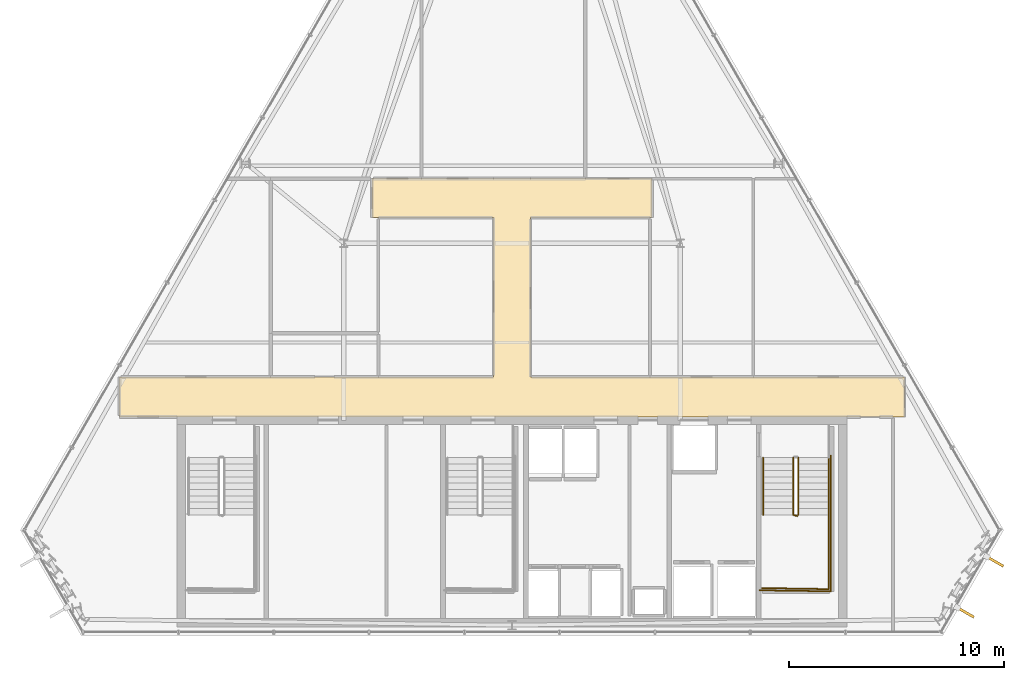
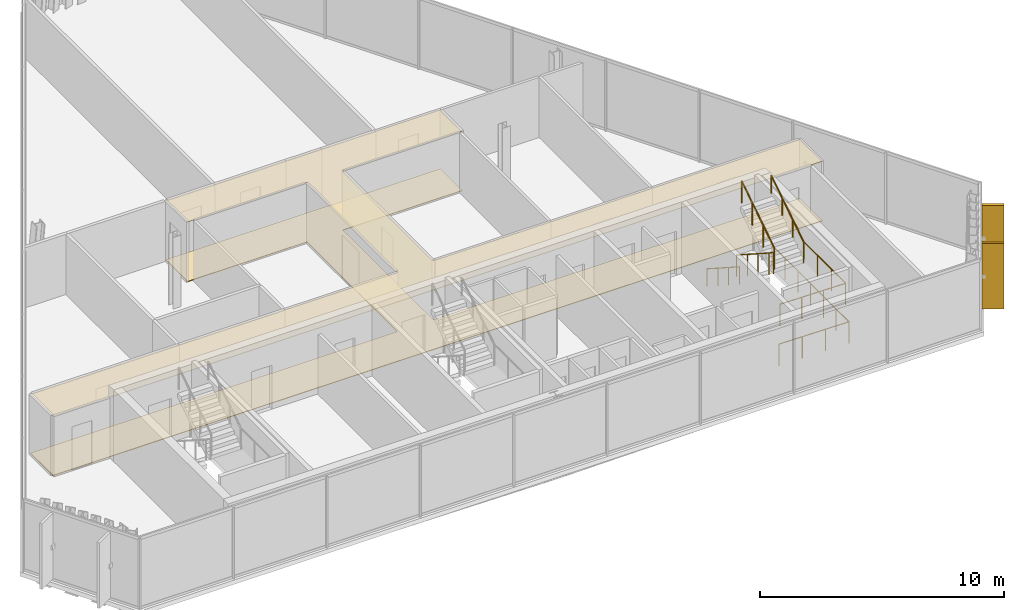
# One storey, part 33 of 34: 6 railings, 2 coverings, 2 shading devices.
"""IFC4 building model written with IfcOpenShell, lengths in metres."""

from ifc_helpers import new_model, si_unit, direction, frame, origin, origin_2d, place, context, subcontext, project, spatial, polyline, rectangle, circle, outline, extrude, material, layer, layer_set, type_object, element, save


model = new_model("IFC4")

# Units and contexts
model_context = context("Model", 3, precision=1e-05, world=origin(), true_north=direction((0.0, 1.0)))
body_context = subcontext(model_context, "Body", "Model", "MODEL_VIEW")
ifc_project = project(units=[si_unit("LENGTHUNIT", "METRE"), si_unit("AREAUNIT", "SQUARE_METRE"), si_unit("VOLUMEUNIT", "CUBIC_METRE"), si_unit("PLANEANGLEUNIT", "RADIAN"), si_unit("MASSUNIT", "GRAM", prefix="KILO")], contexts=[model_context])

# Site, building, storey
site_placement = place(None, origin())
site = spatial("IfcSite", under=ifc_project, at=site_placement, CompositionType="ELEMENT")
building_placement = place(site_placement, origin())
building = spatial("IfcBuilding", under=site, at=building_placement, Name="Ndaravel Arena Tower", CompositionType="ELEMENT")
storey_placement = place(building_placement, frame((0.0, 0.0, 267.39990234375)))
storey = spatial("IfcBuildingStorey", under=building, at=storey_placement, Name="L65", CompositionType="ELEMENT", Elevation=267.39990234375)

# Coverings
ifc_material_1 = material(Name="Acoustic Ceiling Tile", Category="finish")
ifc_layer_1 = layer(ifc_material_1, 0.02490234375)
ifc_layer_set_1 = layer_set([ifc_layer_1], Name="Acoustic Ceiling Tile")
covering_type_1 = type_object("IfcCoveringType", Name="COV-CEIL-AC600", PredefinedType="CEILING", material=ifc_layer_set_1)
covering_1_placement = place(storey_placement, frame((0.0, 0.0, 2.980712890625)))
element("IfcCovering", 1, at=covering_1_placement, inside=storey, type_object=covering_type_1, Name="L65 Corridor Acoustic Ceiling", PredefinedType="CEILING", context=body_context, shape_type="SweptSolid", body=[
    extrude(outline(polyline([(60.216064453125, 17.0), (42.85009765625, 17.0), (42.85009765625, 24.39990234375), (48.5, 24.39990234375), (48.5, 26.199951171875), (42.85009765625, 26.199951171875), (41.14990234375, 26.199951171875), (35.5, 26.199951171875), (35.5, 24.39990234375), (41.14990234375, 24.39990234375), (41.14990234375, 17.0), (23.783935546875, 17.0), (23.783935546875, 15.14990234375), (60.216064453125, 15.14990234375), (60.216064453125, 17.0)])), origin(), (0.0, 0.0, 1.0), 0.02490234375),
])
ifc_material_2 = material(Name="Terrazzo", Category="stone")
ifc_layer_2 = layer(ifc_material_2, 0.030029296875)
ifc_layer_set_2 = layer_set([ifc_layer_2], Name="Terrazzo")
covering_type_2 = type_object("IfcCoveringType", Name="COV-FLOOR-TERRAZZO", PredefinedType="FLOORING", material=ifc_layer_set_2)
covering_2_placement = place(storey_placement, origin())
element("IfcCovering", 2, at=covering_2_placement, inside=storey, type_object=covering_type_2, Name="L65 Corridor Terrazzo Flooring", PredefinedType="FLOORING", context=body_context, shape_type="SweptSolid", body=[
    extrude(outline(polyline([(60.216064453125, 17.0), (42.85009765625, 17.0), (42.85009765625, 24.39990234375), (48.5, 24.39990234375), (48.5, 26.199951171875), (42.85009765625, 26.199951171875), (41.14990234375, 26.199951171875), (35.5, 26.199951171875), (35.5, 24.39990234375), (41.14990234375, 24.39990234375), (41.14990234375, 17.0), (23.783935546875, 17.0), (23.783935546875, 15.14990234375), (60.216064453125, 15.14990234375), (60.216064453125, 17.0)])), origin(), (0.0, 0.0, 1.0), 0.030029296875),
])

# Railings
ifc_material_3 = material(Name="Steel S355", Category="steel")
ifc_layer_3 = layer(ifc_material_3, 0.06005859375)
ifc_layer_set_3 = layer_set([ifc_layer_3], Name="Steel S355")
railing_type_1 = type_object("IfcRailingType", Name="RAIL-STAIR-GD1100", PredefinedType="GUARDRAIL", material=ifc_layer_set_3)
railing_1_placement = place(storey_placement, frame((55.050048828125, 13.25, 0.190185546875)))
element("IfcRailing", 3, at=railing_1_placement, inside=storey, type_object=railing_type_1, Name="L65 ST-3 stair guard 1", PredefinedType="GUARDRAIL", context=body_context, shape_type="SweptSolid", body=[
    extrude(circle(Radius=0.02392578125, at=origin_2d()), frame((0.0, 0.0, 1.076171875), z_axis=(0.0, -0.840723540582, 0.54146461409), x_axis=(1.0, 0.0, 0.0)), (0.0, 0.0, 1.0), 3.157958984375),
    extrude(circle(Radius=0.02392578125, at=origin_2d()), frame((0.0, -2.655029296875, 2.7861328125), z_axis=(0.966993988697, -0.254799187253, 0.0), x_axis=(0.254799187253, 0.966993988697, 0.0)), (0.0, 0.0, 1.0), 0.196533203125),
    extrude(circle(Radius=0.02099609375, at=origin_2d()), origin(), (0.0, 0.0, 1.0), 1.052001953125),
    extrude(circle(Radius=0.02099609375, at=origin_2d()), frame((0.0, -0.885009765625, 0.570068359375)), (0.0, 0.0, 1.0), 1.052001953125),
    extrude(circle(Radius=0.02099609375, at=origin_2d()), frame((0.0, -1.77001953125, 1.139892578125)), (0.0, 0.0, 1.0), 1.052001953125),
    extrude(circle(Radius=0.02099609375, at=origin_2d()), frame((0.0, -2.655029296875, 1.7099609375)), (0.0, 0.0, 1.0), 1.052001953125),
    extrude(circle(Radius=0.02099609375, at=origin_2d()), frame((0.18994140625, -2.705078125, 1.7099609375)), (0.0, 0.0, 1.0), 1.052001953125),
])
railing_2_placement = place(storey_placement, frame((56.68994140625, 10.594970703125, 1.900146484375)))
element("IfcRailing", 4, at=railing_2_placement, inside=storey, type_object=railing_type_1, Name="L65 ST-3 stair guard 2", PredefinedType="GUARDRAIL", context=body_context, shape_type="SweptSolid", body=[
    extrude(circle(Radius=0.02392578125, at=origin_2d()), frame((0.0, 0.0, 1.076171875), z_axis=(0.0, -1.0, 0.0), x_axis=(1.0, 0.0, 0.0)), (0.0, 0.0, 1.0), 3.445068359375),
    extrude(circle(Radius=0.02392578125, at=origin_2d()), frame((0.0, -3.445068359375, 1.076171875), z_axis=(-0.999868840623, 0.016195726322, 0.0), x_axis=(-0.016195726322, -0.999868840623, 0.0)), (0.0, 0.0, 1.0), 3.09033203125),
    extrude(circle(Radius=0.02099609375, at=origin_2d()), origin(), (0.0, 0.0, 1.0), 1.052001953125),
    extrude(circle(Radius=0.02099609375, at=origin_2d()), frame((0.0, -1.1484375, 0.0)), (0.0, 0.0, 1.0), 1.052001953125),
    extrude(circle(Radius=0.02099609375, at=origin_2d()), frame((0.0, -2.296630859375, 0.0)), (0.0, 0.0, 1.0), 1.052001953125),
    extrude(circle(Radius=0.02099609375, at=origin_2d()), frame((0.0, -3.445068359375, 0.0)), (0.0, 0.0, 1.0), 1.052001953125),
    extrude(circle(Radius=0.02099609375, at=origin_2d()), frame((-1.030029296875, -3.428466796875, 0.0)), (0.0, 0.0, 1.0), 1.052001953125),
    extrude(circle(Radius=0.02099609375, at=origin_2d()), frame((-2.059814453125, -3.41162109375, 0.0)), (0.0, 0.0, 1.0), 1.052001953125),
    extrude(circle(Radius=0.02099609375, at=origin_2d()), frame((-3.08984375, -3.39501953125, 0.0)), (0.0, 0.0, 1.0), 1.052001953125),
])
railing_3_placement = place(storey_placement, frame((55.2900390625, 10.594970703125, 2.090087890625)))
element("IfcRailing", 5, at=railing_3_placement, inside=storey, type_object=railing_type_1, Name="L65 ST-3 stair guard 3", PredefinedType="GUARDRAIL", context=body_context, shape_type="SweptSolid", body=[
    extrude(circle(Radius=0.02392578125, at=origin_2d()), frame((0.0, 0.0, 1.076171875), z_axis=(0.0, 0.840723540582, 0.54146461409), x_axis=(-1.0, 0.0, 0.0)), (0.0, 0.0, 1.0), 3.157958984375),
    extrude(circle(Radius=0.02099609375, at=origin_2d()), origin(), (0.0, 0.0, 1.0), 1.052001953125),
    extrude(circle(Radius=0.02099609375, at=origin_2d()), frame((0.0, 0.885009765625, 0.570068359375)), (0.0, 0.0, 1.0), 1.052001953125),
    extrude(circle(Radius=0.02099609375, at=origin_2d()), frame((0.0, 1.77001953125, 1.139892578125)), (0.0, 0.0, 1.0), 1.052001953125),
    extrude(circle(Radius=0.02099609375, at=origin_2d()), frame((0.0, 2.655029296875, 1.7099609375)), (0.0, 0.0, 1.0), 1.052001953125),
])
railing_4_placement = place(storey_placement, frame((56.7900390625, 13.35009765625, 0.0)))
element("IfcRailing", 6, at=railing_4_placement, inside=storey, type_object=railing_type_1, Name="L65 ST-3 stair guard 6", PredefinedType="GUARDRAIL", context=body_context, shape_type="SweptSolid", body=[
    extrude(circle(Radius=0.02392578125, at=origin_2d()), frame((0.0, 0.0, 1.076171875), z_axis=(0.0, -1.0, 0.0), x_axis=(1.0, 0.0, 0.0)), (0.0, 0.0, 1.0), 6.300048828125),
    extrude(circle(Radius=0.02392578125, at=origin_2d()), frame((0.0, -6.300048828125, 1.076171875), z_axis=(-0.99988431412, 0.015210469308, 0.0), x_axis=(-0.015210469308, -0.99988431412, 0.0)), (0.0, 0.0, 1.0), 3.29052734375),
    extrude(circle(Radius=0.02099609375, at=origin_2d()), origin(), (0.0, 0.0, 1.0), 1.052001953125),
    extrude(circle(Radius=0.02099609375, at=origin_2d()), frame((0.0, -1.050048828125, 0.0)), (0.0, 0.0, 1.0), 1.052001953125),
    extrude(circle(Radius=0.02099609375, at=origin_2d()), frame((0.0, -2.10009765625, 0.0)), (0.0, 0.0, 1.0), 1.052001953125),
    extrude(circle(Radius=0.02099609375, at=origin_2d()), frame((0.0, -3.14990234375, 0.0)), (0.0, 0.0, 1.0), 1.052001953125),
    extrude(circle(Radius=0.02099609375, at=origin_2d()), frame((0.0, -4.199951171875, 0.0)), (0.0, 0.0, 1.0), 1.052001953125),
    extrude(circle(Radius=0.02099609375, at=origin_2d()), frame((0.0, -5.25, 0.0)), (0.0, 0.0, 1.0), 1.052001953125),
    extrude(circle(Radius=0.02099609375, at=origin_2d()), frame((0.0, -6.300048828125, 0.0)), (0.0, 0.0, 1.0), 1.052001953125),
    extrude(circle(Radius=0.02099609375, at=origin_2d()), frame((-1.0966796875, -6.283447265625, 0.0)), (0.0, 0.0, 1.0), 1.052001953125),
    extrude(circle(Radius=0.02099609375, at=origin_2d()), frame((-2.193359375, -6.2666015625, 0.0)), (0.0, 0.0, 1.0), 1.052001953125),
    extrude(circle(Radius=0.02099609375, at=origin_2d()), frame((-3.2900390625, -6.25, 0.0)), (0.0, 0.0, 1.0), 1.052001953125),
])
ifc_material_4 = material(Name="Steel S355", Category="steel")
ifc_layer_4 = layer(ifc_material_4, 0.050048828125)
ifc_layer_set_4 = layer_set([ifc_layer_4], Name="Steel S355")
railing_type_2 = type_object("IfcRailingType", Name="RAIL-STAIR-HR920", PredefinedType="HANDRAIL", material=ifc_layer_set_4)
railing_5_placement = place(storey_placement, frame((53.64990234375, 13.25, 0.190185546875)))
element("IfcRailing", 7, at=railing_5_placement, inside=storey, type_object=railing_type_2, Name="L65 ST-3 stair handrail 1", PredefinedType="HANDRAIL", context=body_context, shape_type="SweptSolid", body=[
    extrude(circle(Radius=0.02392578125, at=origin_2d()), frame((0.0, 0.0, 0.8759765625), z_axis=(0.0, -0.840723540582, 0.54146461409), x_axis=(1.0, 0.0, 0.0)), (0.0, 0.0, 1.0), 3.157958984375),
    extrude(circle(Radius=0.02099609375, at=origin_2d()), origin(), (0.0, 0.0, 1.0), 0.851806640625),
    extrude(circle(Radius=0.02099609375, at=origin_2d()), frame((0.0, -0.885009765625, 0.570068359375)), (0.0, 0.0, 1.0), 0.851806640625),
    extrude(circle(Radius=0.02099609375, at=origin_2d()), frame((0.0, -1.77001953125, 1.139892578125)), (0.0, 0.0, 1.0), 0.851806640625),
    extrude(circle(Radius=0.02099609375, at=origin_2d()), frame((0.0, -2.655029296875, 1.7099609375)), (0.0, 0.0, 1.0), 0.851806640625),
])
railing_6_placement = place(storey_placement, frame((56.68994140625, 10.594970703125, 2.090087890625)))
element("IfcRailing", 8, at=railing_6_placement, inside=storey, type_object=railing_type_2, Name="L65 ST-3 stair handrail 2", PredefinedType="HANDRAIL", context=body_context, shape_type="SweptSolid", body=[
    extrude(circle(Radius=0.02392578125, at=origin_2d()), frame((0.0, 0.0, 0.8759765625), z_axis=(0.0, 0.840723540582, 0.54146461409), x_axis=(-1.0, 0.0, 0.0)), (0.0, 0.0, 1.0), 3.157958984375),
    extrude(circle(Radius=0.02099609375, at=origin_2d()), origin(), (0.0, 0.0, 1.0), 0.851806640625),
    extrude(circle(Radius=0.02099609375, at=origin_2d()), frame((0.0, 0.885009765625, 0.570068359375)), (0.0, 0.0, 1.0), 0.851806640625),
    extrude(circle(Radius=0.02099609375, at=origin_2d()), frame((0.0, 1.77001953125, 1.139892578125)), (0.0, 0.0, 1.0), 0.851806640625),
    extrude(circle(Radius=0.02099609375, at=origin_2d()), frame((0.0, 2.655029296875, 1.7099609375)), (0.0, 0.0, 1.0), 0.851806640625),
])

# Shading devices
ifc_material_5 = material(Name="Masonry", Category="masonry")
shading_device_type = type_object("IfcShadingDeviceType", Name="SHD-MAZERAS-FIN", PredefinedType="SHUTTER", material=ifc_material_5)
for number, where, z_axis, x_axis, name in (
    (9, (63.0458984375, 6.0751953125, 0.14990234375), (0.0, 0.0, 1.0), (0.866025403784, -0.5, 0.0), "L65 Mazeras Stone Solar Fin E2.1"),
    (10, (64.4111328125, 8.439697265625, 0.14990234375), (0.0, 0.0, 1.0), (0.866025403784, -0.5, 0.0), "L65 Mazeras Stone Solar Fin E2.2"),
):
    element("IfcShadingDevice", number, at=place(storey_placement, frame(where, z_axis=z_axis, x_axis=x_axis)), inside=storey, type_object=shading_device_type, Name=name, PredefinedType="SHUTTER", context=body_context, shape_type="SweptSolid", body=[
        extrude(rectangle(XDim=0.89990234375, YDim=0.1201171875, at=origin_2d()), origin(), (0.0, 0.0, 1.0), 3.280029296875),
    ])

save(model, "model.ifc")
